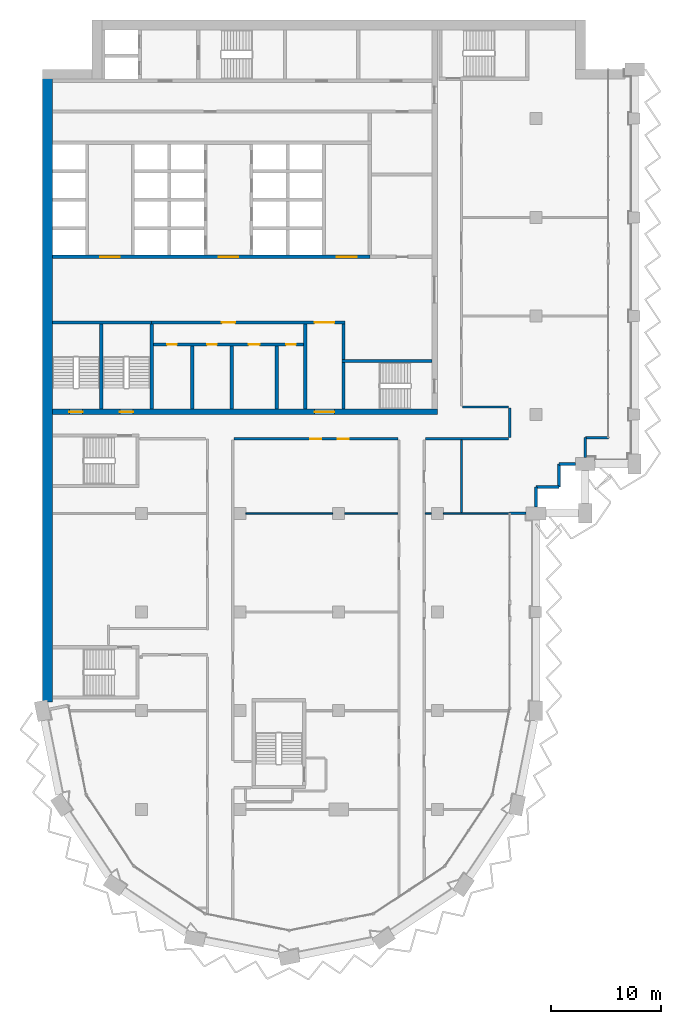
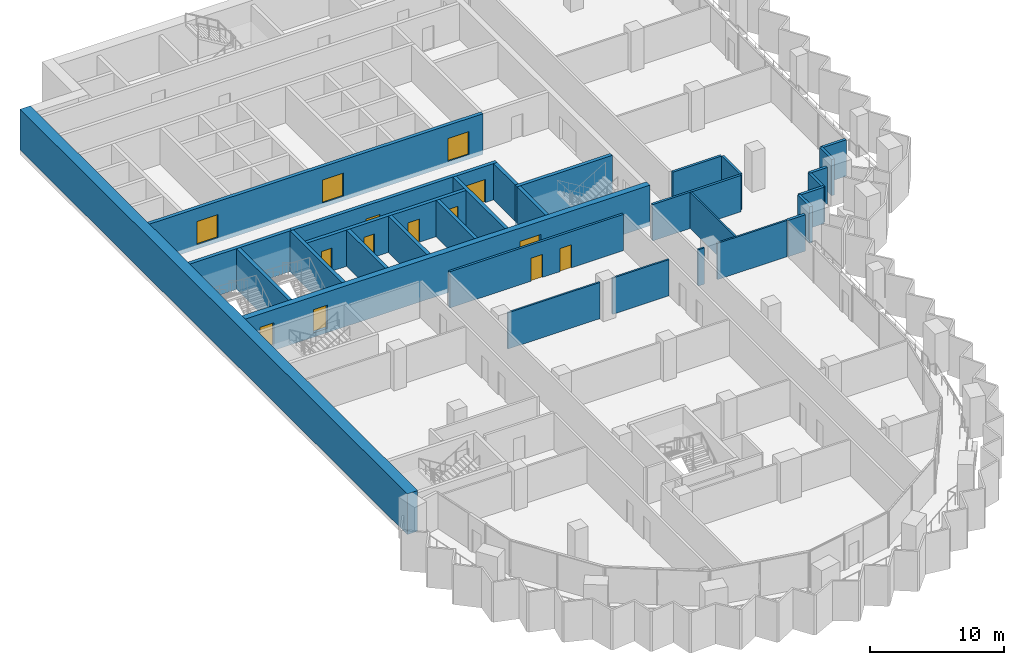
# One storey, part 9 of 17: 31 walls, 14 doors, 14 openings.
"""IFC4 building model written with IfcOpenShell, lengths in metres."""

from ifc_helpers import new_model, si_unit, direction, frame, frame_2d, origin, place, context, subcontext, project, spatial, rectangle, extrude, material, layer, layer_set, type_object, element, fill, save


model = new_model("IFC4")

# Units and contexts
model_context = context("Model", 3, precision=1e-05, world=origin(), true_north=direction((0.0, 1.0)))
body_context = subcontext(model_context, "Body", "Model", "MODEL_VIEW")
ifc_project = project(units=[si_unit("LENGTHUNIT", "METRE"), si_unit("AREAUNIT", "SQUARE_METRE"), si_unit("VOLUMEUNIT", "CUBIC_METRE"), si_unit("PLANEANGLEUNIT", "RADIAN"), si_unit("MASSUNIT", "GRAM", prefix="KILO")], contexts=[model_context])

# Site, building, storey
site_placement = place(None, origin())
site = spatial("IfcSite", under=ifc_project, at=site_placement, CompositionType="ELEMENT")
building_placement = place(site_placement, origin())
building = spatial("IfcBuilding", under=site, at=building_placement, Name="Hunhe Ridgeline Campus", CompositionType="ELEMENT")
storey_placement = place(building_placement, frame((0.0, 0.0, 186.5)))
storey = spatial("IfcBuildingStorey", under=building, at=storey_placement, Name="L47", CompositionType="ELEMENT", Elevation=186.5)

# Wall, openings, doors
ifc_material_1 = material(Name="Masonry concrete blockwork", Category="masonry")
ifc_layer_1 = layer(ifc_material_1, 0.300048828125)
ifc_layer_set_1 = layer_set([ifc_layer_1], Name="Core room partition 300 concrete block")
wall_type_1 = type_object("IfcWallType", Name="Core room partition 300 concrete block", PredefinedType="PARTITIONING", material=ifc_layer_set_1)
wall_1_placement = place(storey_placement, frame((10.10009765625, 69.39990234375, 0.0), z_axis=(0.0, 0.0, 1.0), x_axis=(1.0, 0.0, 0.0)))
wall_1 = element("IfcWall", 1, at=wall_1_placement, inside=storey, type_object=wall_type_1, Name="L47 core partition 9", PredefinedType="PARTITIONING", context=body_context, shape_type="SweptSolid", body=[
    extrude(rectangle(XDim=13.699951171875, YDim=0.300048828125, at=frame_2d((6.85009765625, 0.0))), origin(), (0.0, 0.0, 1.0), 3.300048828125),
])
opening_1_placement = place(wall_1_placement, frame((1.25, 0.0, 0.0)))
opening_1 = element("IfcOpeningElement", 2, at=opening_1_placement, cuts=wall_1, Name="Opening CD8", PredefinedType="OPENING", context=body_context, shape_type="SweptSolid", body=[
    extrude(rectangle(XDim=0.89990234375, YDim=2.10009765625, at=frame_2d((0.449951171875, 1.050048828125))), frame((0.0, 0.14990234375, 0.0), z_axis=(0.0, -1.0, 0.0), x_axis=(1.0, 0.0, 0.0)), (0.0, 0.0, 1.0), 0.300048828125),
])
opening_2_placement = place(wall_1_placement, frame((4.89990234375, 0.0, 0.0)))
opening_2 = element("IfcOpeningElement", 3, at=opening_2_placement, cuts=wall_1, Name="Opening CD9", PredefinedType="OPENING", context=body_context, shape_type="SweptSolid", body=[
    extrude(rectangle(XDim=0.89990234375, YDim=2.10009765625, at=frame_2d((0.449951171875, 1.050048828125))), frame((0.0, 0.14990234375, 0.0), z_axis=(0.0, -1.0, 0.0), x_axis=(1.0, 0.0, 0.0)), (0.0, 0.0, 1.0), 0.300048828125),
])
opening_3_placement = place(wall_1_placement, frame((8.699951171875, 0.0, 0.0)))
opening_3 = element("IfcOpeningElement", 4, at=opening_3_placement, cuts=wall_1, Name="Opening CD10", PredefinedType="OPENING", context=body_context, shape_type="SweptSolid", body=[
    extrude(rectangle(XDim=1.0, YDim=2.10009765625, at=frame_2d((0.5, 1.050048828125))), frame((0.0, 0.14990234375, 0.0), z_axis=(0.0, -1.0, 0.0), x_axis=(1.0, 0.0, 0.0)), (0.0, 0.0, 1.0), 0.300048828125),
])
opening_4_placement = place(wall_1_placement, frame((12.10009765625, 0.0, 0.0)))
opening_4 = element("IfcOpeningElement", 5, at=opening_4_placement, cuts=wall_1, Name="Opening CD11", PredefinedType="OPENING", context=body_context, shape_type="SweptSolid", body=[
    extrude(rectangle(XDim=0.89990234375, YDim=2.10009765625, at=frame_2d((0.449951171875, 1.050048828125))), frame((0.0, 0.14990234375, 0.0), z_axis=(0.0, -1.0, 0.0), x_axis=(1.0, 0.0, 0.0)), (0.0, 0.0, 1.0), 0.300048828125),
])
ifc_material_2 = material(Name="Solid core timber door leaf", Category="wood")
door_type_1 = type_object("IfcDoorType", Name="Timber door 1000x2100", OperationType="SINGLE_SWING_LEFT", PredefinedType="DOOR", material=ifc_material_2)
door_1_placement = place(opening_3_placement, frame((1.0, 0.0, 0.0), z_axis=(0.0, 0.0, 1.0), x_axis=(-1.0, 0.0, 0.0)))
door_1 = element("IfcDoor", 6, at=door_1_placement, inside=storey, type_object=door_type_1, Name="L47 door WC3", OperationType="SINGLE_SWING_LEFT", OverallHeight=2.10009765625, OverallWidth=1.0, PredefinedType="DOOR", context=body_context, shape_type="SweptSolid", body=[
    extrude(rectangle(XDim=1.0, YDim=2.10009765625, at=frame_2d((0.5, 1.050048828125))), frame((0.0, 0.02490234375, 0.0), z_axis=(0.0, -1.0, 0.0), x_axis=(1.0, 0.0, 0.0)), (0.0, 0.0, 1.0), 0.050048828125),
])
fill(opening_3, door_1)
door_type_2 = type_object("IfcDoorType", Name="Timber door 900x2100", OperationType="SINGLE_SWING_LEFT", PredefinedType="DOOR", material=ifc_material_2)
door_2_placement = place(opening_1_placement, frame((0.89990234375, 0.0, 0.0), z_axis=(0.0, 0.0, 1.0), x_axis=(-1.0, 0.0, 0.0)))
door_2 = element("IfcDoor", 7, at=door_2_placement, inside=storey, type_object=door_type_2, Name="L47 door WC1", OperationType="SINGLE_SWING_LEFT", OverallHeight=2.10009765625, OverallWidth=0.89990234375, PredefinedType="DOOR", context=body_context, shape_type="SweptSolid", body=[
    extrude(rectangle(XDim=0.89990234375, YDim=2.10009765625, at=frame_2d((0.449951171875, 1.050048828125))), frame((0.0, 0.02490234375, 0.0), z_axis=(0.0, -1.0, 0.0), x_axis=(1.0, 0.0, 0.0)), (0.0, 0.0, 1.0), 0.050048828125),
])
fill(opening_1, door_2)
door_3_placement = place(opening_2_placement, frame((0.89990234375, 0.0, 0.0), z_axis=(0.0, 0.0, 1.0), x_axis=(-1.0, 0.0, 0.0)))
door_3 = element("IfcDoor", 8, at=door_3_placement, inside=storey, type_object=door_type_2, Name="L47 door WC2", OperationType="SINGLE_SWING_RIGHT", OverallHeight=2.10009765625, OverallWidth=0.89990234375, PredefinedType="DOOR", context=body_context, shape_type="SweptSolid", body=[
    extrude(rectangle(XDim=0.89990234375, YDim=2.10009765625, at=frame_2d((0.449951171875, 1.050048828125))), frame((0.0, 0.02490234375, 0.0), z_axis=(0.0, -1.0, 0.0), x_axis=(1.0, 0.0, 0.0)), (0.0, 0.0, 1.0), 0.050048828125),
])
fill(opening_2, door_3)
door_4_placement = place(opening_4_placement, frame((0.89990234375, 0.0, 0.0), z_axis=(0.0, 0.0, 1.0), x_axis=(-1.0, 0.0, 0.0)))
door_4 = element("IfcDoor", 9, at=door_4_placement, inside=storey, type_object=door_type_2, Name="L47 door WC4", OperationType="SINGLE_SWING_RIGHT", OverallHeight=2.10009765625, OverallWidth=0.89990234375, PredefinedType="DOOR", context=body_context, shape_type="SweptSolid", body=[
    extrude(rectangle(XDim=0.89990234375, YDim=2.10009765625, at=frame_2d((0.449951171875, 1.050048828125))), frame((0.0, 0.02490234375, 0.0), z_axis=(0.0, -1.0, 0.0), x_axis=(1.0, 0.0, 0.0)), (0.0, 0.0, 1.0), 0.050048828125),
])
fill(opening_4, door_4)

wall_2_placement = place(storey_placement, frame((9.949951171875, 71.39990234375, 0.0), z_axis=(0.0, 0.0, 1.0), x_axis=(1.0, 0.0, 0.0)))
wall_2 = element("IfcWall", 10, at=wall_2_placement, inside=storey, type_object=wall_type_1, Name="L47 core partition 11", PredefinedType="PARTITIONING", context=body_context, shape_type="SweptSolid", body=[
    extrude(rectangle(XDim=17.650146484375, YDim=0.300048828125, at=frame_2d((8.8251953125, 0.0))), origin(), (0.0, 0.0, 1.0), 3.300048828125),
])
opening_5_placement = place(wall_2_placement, frame((14.85009765625, 0.0, 0.0)))
opening_5 = element("IfcOpeningElement", 11, at=opening_5_placement, cuts=wall_2, Name="Opening CD7", PredefinedType="OPENING", context=body_context, shape_type="SweptSolid", body=[
    extrude(rectangle(XDim=1.800048828125, YDim=2.10009765625, at=frame_2d((0.89990234375, 1.050048828125))), frame((0.0, 0.14990234375, 0.0), z_axis=(0.0, -1.0, 0.0), x_axis=(1.0, 0.0, 0.0)), (0.0, 0.0, 1.0), 0.300048828125),
])
opening_6_placement = place(wall_2_placement, frame((6.39990234375, 0.0, 0.0)))
opening_6 = element("IfcOpeningElement", 12, at=opening_6_placement, cuts=wall_2, Name="Opening CD37", PredefinedType="OPENING", context=body_context, shape_type="SweptSolid", body=[
    extrude(rectangle(XDim=1.199951171875, YDim=2.10009765625, at=frame_2d((0.60009765625, 1.050048828125))), frame((0.0, 0.14990234375, 0.0), z_axis=(0.0, -1.0, 0.0), x_axis=(1.0, 0.0, 0.0)), (0.0, 0.0, 1.0), 0.300048828125),
])
ifc_material_3 = material(Name="Anodised aluminium and glass", Category="aluminium")
door_type_3 = type_object("IfcDoorType", Name="Glazed double door 1800x2100", OperationType="DOUBLE_DOOR_SINGLE_SWING", PredefinedType="DOOR", material=ifc_material_3)
door_5_placement = place(opening_5_placement, origin())
door_5 = element("IfcDoor", 13, at=door_5_placement, inside=storey, type_object=door_type_3, Name="L47 door VEST-HALL", OperationType="DOUBLE_DOOR_SINGLE_SWING", OverallHeight=2.10009765625, OverallWidth=1.800048828125, PredefinedType="DOOR", context=body_context, shape_type="SweptSolid", body=[
    extrude(rectangle(XDim=1.800048828125, YDim=2.10009765625, at=frame_2d((0.89990234375, 1.050048828125))), frame((0.0, 0.02490234375, 0.0), z_axis=(0.0, -1.0, 0.0), x_axis=(1.0, 0.0, 0.0)), (0.0, 0.0, 1.0), 0.050048828125),
])
fill(opening_5, door_5)
door_type_4 = type_object("IfcDoorType", Name="Timber door 1200x2100", OperationType="SINGLE_SWING_LEFT", PredefinedType="DOOR", material=ifc_material_2)
door_6_placement = place(opening_6_placement, origin())
door_6 = element("IfcDoor", 14, at=door_6_placement, inside=storey, type_object=door_type_4, Name="L47 door WCL1-HALL", OperationType="SINGLE_SWING_RIGHT", OverallHeight=2.10009765625, OverallWidth=1.199951171875, PredefinedType="DOOR", context=body_context, shape_type="SweptSolid", body=[
    extrude(rectangle(XDim=1.199951171875, YDim=2.10009765625, at=frame_2d((0.60009765625, 1.050048828125))), frame((0.0, 0.02490234375, 0.0), z_axis=(0.0, -1.0, 0.0), x_axis=(1.0, 0.0, 0.0)), (0.0, 0.0, 1.0), 0.050048828125),
])
fill(opening_6, door_6)

# Walls
for number, where, z_axis, x_axis, name in (
    (15, (13.64990234375, 63.5, 0.0), (0.0, 0.0, 1.0), (0.0, 1.0, 0.0), "L47 core partition 38"),
    (16, (17.25, 63.5, 0.0), (0.0, 0.0, 1.0), (0.0, 1.0, 0.0), "L47 core partition 41"),
    (17, (21.35009765625, 63.5, 0.0), (0.0, 0.0, 1.0), (0.0, 1.0, 0.0), "L47 core partition 44"),
):
    element("IfcWall", number, at=place(storey_placement, frame(where, z_axis=z_axis, x_axis=x_axis)), inside=storey, type_object=wall_type_1, Name=name, PredefinedType="PARTITIONING", context=body_context, shape_type="SweptSolid", body=[
        extrude(rectangle(XDim=5.75, YDim=0.300048828125, at=frame_2d((2.875, 0.0))), origin(), (0.0, 0.0, 1.0), 3.300048828125),
    ])
wall_3_placement = place(storey_placement, frame((23.949951171875, 63.5, 0.0), z_axis=(0.0, 0.0, 1.0), x_axis=(0.0, 1.0, 0.0)))
element("IfcWall", 18, at=wall_3_placement, inside=storey, type_object=wall_type_1, Name="L47 core partition 48", PredefinedType="PARTITIONING", context=body_context, shape_type="SweptSolid", body=[
    extrude(rectangle(XDim=7.75, YDim=0.300048828125, at=frame_2d((3.875, 0.0))), origin(), (0.0, 0.0, 1.0), 3.300048828125),
])
wall_4_placement = place(storey_placement, frame((27.449951171875, 68.050048828125, 0.0), z_axis=(0.0, 0.0, 1.0), x_axis=(0.0, 1.0, 0.0)))
element("IfcWall", 19, at=wall_4_placement, inside=storey, type_object=wall_type_1, Name="L47 core partition 51", PredefinedType="PARTITIONING", context=body_context, shape_type="SweptSolid", body=[
    extrude(rectangle(XDim=3.199951171875, YDim=0.300048828125, at=frame_2d((1.60009765625, 0.0))), origin(), (0.0, 0.0, 1.0), 3.300048828125),
])

# Wall, openings, doors
ifc_material_4 = material(Name="Concrete C60", Category="concrete")
ifc_layer_2 = layer(ifc_material_4, 0.5)
ifc_layer_set_2 = layer_set([ifc_layer_2], Name="Core wall 500 reinforced concrete C60")
wall_type_2 = type_object("IfcWallType", Name="Core wall 500 reinforced concrete C60", PredefinedType="SOLIDWALL", material=ifc_layer_set_2)
wall_5_placement = place(storey_placement, frame((0.89990234375, 63.25, -0.39990234375), z_axis=(0.0, 0.0, 1.0), x_axis=(1.0, 0.0, 0.0)))
wall_5 = element("IfcWall", 20, at=wall_5_placement, inside=storey, type_object=wall_type_2, Name="L47 core wall 7", PredefinedType="SOLIDWALL", context=body_context, shape_type="SweptSolid", body=[
    extrude(rectangle(XDim=35.10009765625, YDim=0.5, at=frame_2d((17.550048828125, 0.0))), origin(), (0.0, 0.0, 1.0), 3.699951171875),
])
opening_7_placement = place(wall_5_placement, frame((23.89990234375, 0.0, 0.39990234375)))
opening_7 = element("IfcOpeningElement", 21, at=opening_7_placement, cuts=wall_5, Name="Opening CD6", PredefinedType="OPENING", context=body_context, shape_type="SweptSolid", body=[
    extrude(rectangle(XDim=1.800048828125, YDim=2.10009765625, at=frame_2d((0.89990234375, 1.050048828125))), frame((0.0, 0.25, 0.0), z_axis=(0.0, -1.0, 0.0), x_axis=(1.0, 0.0, 0.0)), (0.0, 0.0, 1.0), 0.5),
])
opening_8_placement = place(wall_5_placement, frame((1.550048828125, 0.0, 0.39990234375)))
opening_8 = element("IfcOpeningElement", 22, at=opening_8_placement, cuts=wall_5, Name="Opening CD13", PredefinedType="OPENING", context=body_context, shape_type="SweptSolid", body=[
    extrude(rectangle(XDim=1.199951171875, YDim=2.10009765625, at=frame_2d((0.60009765625, 1.050048828125))), frame((0.0, 0.25, 0.0), z_axis=(0.0, -1.0, 0.0), x_axis=(1.0, 0.0, 0.0)), (0.0, 0.0, 1.0), 0.5),
])
opening_9_placement = place(wall_5_placement, frame((6.14990234375, 0.0, 0.39990234375)))
opening_9 = element("IfcOpeningElement", 23, at=opening_9_placement, cuts=wall_5, Name="Opening CD14", PredefinedType="OPENING", context=body_context, shape_type="SweptSolid", body=[
    extrude(rectangle(XDim=1.199951171875, YDim=2.10009765625, at=frame_2d((0.60009765625, 1.050048828125))), frame((0.0, 0.25, 0.0), z_axis=(0.0, -1.0, 0.0), x_axis=(1.0, 0.0, 0.0)), (0.0, 0.0, 1.0), 0.5),
])
door_7_placement = place(opening_7_placement, frame((1.800048828125, 0.0, 0.0), z_axis=(0.0, 0.0, 1.0), x_axis=(-1.0, 0.0, 0.0)))
door_7 = element("IfcDoor", 24, at=door_7_placement, inside=storey, type_object=door_type_3, Name="L47 door VEST-FLOOR", OperationType="DOUBLE_DOOR_SINGLE_SWING", OverallHeight=2.10009765625, OverallWidth=1.800048828125, PredefinedType="DOOR", context=body_context, shape_type="SweptSolid", body=[
    extrude(rectangle(XDim=1.800048828125, YDim=2.10009765625, at=frame_2d((0.89990234375, 1.050048828125))), frame((0.0, 0.02490234375, 0.0), z_axis=(0.0, -1.0, 0.0), x_axis=(1.0, 0.0, 0.0)), (0.0, 0.0, 1.0), 0.050048828125),
])
fill(opening_7, door_7)
ifc_material_5 = material(Name="Hollow metal fire door leaf")
door_type_5 = type_object("IfcDoorType", Name="Stair door 1200x2100 FD60", OperationType="SINGLE_SWING_LEFT", PredefinedType="DOOR", material=ifc_material_5)
door_8_placement = place(opening_8_placement, frame((1.199951171875, 0.0, 0.0), z_axis=(0.0, 0.0, 1.0), x_axis=(-1.0, 0.0, 0.0)))
door_8 = element("IfcDoor", 25, at=door_8_placement, inside=storey, type_object=door_type_5, Name="L47 door S3", OperationType="SINGLE_SWING_LEFT", OverallHeight=2.10009765625, OverallWidth=1.199951171875, PredefinedType="DOOR", context=body_context, shape_type="SweptSolid", body=[
    extrude(rectangle(XDim=1.199951171875, YDim=2.10009765625, at=frame_2d((0.60009765625, 1.050048828125))), frame((0.0, 0.02490234375, 0.0), z_axis=(0.0, -1.0, 0.0), x_axis=(1.0, 0.0, 0.0)), (0.0, 0.0, 1.0), 0.050048828125),
])
fill(opening_8, door_8)
door_9_placement = place(opening_9_placement, frame((1.199951171875, 0.0, 0.0), z_axis=(0.0, 0.0, 1.0), x_axis=(-1.0, 0.0, 0.0)))
door_9 = element("IfcDoor", 26, at=door_9_placement, inside=storey, type_object=door_type_5, Name="L47 door S4", OperationType="SINGLE_SWING_RIGHT", OverallHeight=2.10009765625, OverallWidth=1.199951171875, PredefinedType="DOOR", context=body_context, shape_type="SweptSolid", body=[
    extrude(rectangle(XDim=1.199951171875, YDim=2.10009765625, at=frame_2d((0.60009765625, 1.050048828125))), frame((0.0, 0.02490234375, 0.0), z_axis=(0.0, -1.0, 0.0), x_axis=(1.0, 0.0, 0.0)), (0.0, 0.0, 1.0), 0.050048828125),
])
fill(opening_9, door_9)

# Walls
ifc_material_6 = material(Name="Concrete C30", Category="concrete")
ifc_layer_3 = layer(ifc_material_6, 0.25)
ifc_layer_set_3 = layer_set([ifc_layer_3], Name="Corner return wall 250 Concrete C30")
wall_type_3 = type_object("IfcWallType", Name="Corner return wall 250 Concrete C30", PredefinedType="SOLIDWALL", material=ifc_layer_set_3)
wall_6_placement = place(storey_placement, frame((42.59912109375, 54.00048828125, 0.0), z_axis=(0.0, 0.0, 1.0), x_axis=(0.999999986772, 0.00016265452, 0.0)))
element("IfcWall", 27, at=wall_6_placement, inside=storey, type_object=wall_type_3, Name="Corner return wall 2", PredefinedType="SOLIDWALL", context=body_context, shape_type="SweptSolid", body=[
    extrude(rectangle(XDim=1.5009765625, YDim=0.25, at=frame_2d((0.75048828125, 0.0))), origin(), (0.0, 0.0, 1.0), 3.300048828125),
])
wall_7_placement = place(storey_placement, frame((44.9990234375, 54.60009765625, 0.0), z_axis=(0.0, 0.0, 1.0), x_axis=(0.000135593219, 0.999999990807, 0.0)))
element("IfcWall", 28, at=wall_7_placement, inside=storey, type_object=wall_type_3, Name="Corner return wall 3", PredefinedType="SOLIDWALL", context=body_context, shape_type="SweptSolid", body=[
    extrude(rectangle(XDim=1.800537109375, YDim=0.25, at=frame_2d((0.900390625, 0.0))), origin(), (0.0, 0.0, 1.0), 3.300048828125),
])
wall_8_placement = place(storey_placement, frame((44.999267578125, 56.400634765625, 0.0), z_axis=(0.0, 0.0, 1.0), x_axis=(0.999999993241, 0.00011626555, 0.0)))
element("IfcWall", 29, at=wall_8_placement, inside=storey, type_object=wall_type_3, Name="Corner return wall 4", PredefinedType="SOLIDWALL", context=body_context, shape_type="SweptSolid", body=[
    extrude(rectangle(XDim=2.099853515625, YDim=0.25, at=frame_2d((1.0498046875, 0.0))), origin(), (0.0, 0.0, 1.0), 3.300048828125),
])
wall_9_placement = place(storey_placement, frame((47.09912109375, 56.40087890625, 0.0), z_axis=(0.0, 0.0, 1.0), x_axis=(0.000232504063, 0.999999972971, 0.0)))
element("IfcWall", 30, at=wall_9_placement, inside=storey, type_object=wall_type_3, Name="Corner return wall 5", PredefinedType="SOLIDWALL", context=body_context, shape_type="SweptSolid", body=[
    extrude(rectangle(XDim=2.10009765625, YDim=0.25, at=frame_2d((1.050048828125, 0.0))), origin(), (0.0, 0.0, 1.0), 3.300048828125),
])
wall_10_placement = place(storey_placement, frame((47.099609375, 58.5009765625, 0.0), z_axis=(0.0, 0.0, 1.0), x_axis=(1.0, 0.0, 0.0)))
element("IfcWall", 31, at=wall_10_placement, inside=storey, type_object=wall_type_3, Name="Corner return wall 6", PredefinedType="SOLIDWALL", context=body_context, shape_type="SweptSolid", body=[
    extrude(rectangle(XDim=1.50048828125, YDim=0.25, at=frame_2d((0.750244140625, 0.0))), origin(), (0.0, 0.0, 1.0), 3.300048828125),
])
wall_11_placement = place(storey_placement, frame((49.4990234375, 59.10009765625, 0.0), z_axis=(0.0, 0.0, 1.0), x_axis=(0.000271149665, 0.999999963239, 0.0)))
element("IfcWall", 32, at=wall_11_placement, inside=storey, type_object=wall_type_3, Name="Corner return wall 7", PredefinedType="SOLIDWALL", context=body_context, shape_type="SweptSolid", body=[
    extrude(rectangle(XDim=1.80078125, YDim=0.25, at=frame_2d((0.900390625, 0.0))), origin(), (0.0, 0.0, 1.0), 3.300048828125),
])
wall_12_placement = place(storey_placement, frame((49.49951171875, 60.90087890625, 0.0), z_axis=(0.0, 0.0, 1.0), x_axis=(1.0, 0.0, 0.0)))
element("IfcWall", 33, at=wall_12_placement, inside=storey, type_object=wall_type_3, Name="Corner return wall 8", PredefinedType="SOLIDWALL", context=body_context, shape_type="SweptSolid", body=[
    extrude(rectangle(XDim=2.099609375, YDim=0.25, at=frame_2d((1.0498046875, 0.0))), origin(), (0.0, 0.0, 1.0), 3.300048828125),
])

# Wall, openings, doors
ifc_material_7 = material(Name="Gypsum board partition")
ifc_layer_4 = layer(ifc_material_7, 0.199951171875)
ifc_layer_set_4 = layer_set([ifc_layer_4], Name="Corridor partition 200 gypsum board on steel studs")
wall_type_4 = type_object("IfcWallType", Name="Corridor partition 200 gypsum board on steel studs", PredefinedType="PARTITIONING", material=ifc_layer_set_4)
wall_13_placement = place(storey_placement, frame((32.39990234375, 60.800048828125, 0.0), z_axis=(0.0, 0.0, 1.0), x_axis=(-1.0, 0.0, 0.0)))
wall_13 = element("IfcWall", 34, at=wall_13_placement, inside=storey, type_object=wall_type_4, Name="F-L47-wall-028", PredefinedType="PARTITIONING", context=body_context, shape_type="SweptSolid", body=[
    extrude(rectangle(XDim=14.949951171875, YDim=0.199951171875, at=frame_2d((7.47509765625, 0.0))), origin(), (0.0, 0.0, 1.0), 3.300048828125),
])
opening_10_placement = place(wall_13_placement, frame((6.97509765625, 0.0, 0.0)))
opening_10 = element("IfcOpeningElement", 35, at=opening_10_placement, cuts=wall_13, Name="Opening RD1-020", PredefinedType="OPENING", context=body_context, shape_type="SweptSolid", body=[
    extrude(rectangle(XDim=1.0, YDim=2.10009765625, at=frame_2d((0.5, 1.050048828125))), frame((0.0, 0.10009765625, 0.0), z_axis=(0.0, -1.0, 0.0), x_axis=(1.0, 0.0, 0.0)), (0.0, 0.0, 1.0), 0.199951171875),
])
opening_11_placement = place(wall_13_placement, frame((4.47509765625, 0.0, 0.0)))
opening_11 = element("IfcOpeningElement", 36, at=opening_11_placement, cuts=wall_13, Name="Opening RD1-021", PredefinedType="OPENING", context=body_context, shape_type="SweptSolid", body=[
    extrude(rectangle(XDim=1.0, YDim=2.10009765625, at=frame_2d((0.5, 1.050048828125))), frame((0.0, 0.10009765625, 0.0), z_axis=(0.0, -1.0, 0.0), x_axis=(1.0, 0.0, 0.0)), (0.0, 0.0, 1.0), 0.199951171875),
])
ifc_material_8 = material(Name="Timber door leaf", Category="wood")
door_type_6 = type_object("IfcDoorType", Name="Single fire door 1000x2100 timber FD60", OperationType="NOTDEFINED", PredefinedType="DOOR", material=ifc_material_8)
door_10_placement = place(opening_10_placement, frame((1.0, 0.0, 0.0), z_axis=(0.0, 0.0, 1.0), x_axis=(-1.0, 0.0, 0.0)))
door_10 = element("IfcDoor", 37, at=door_10_placement, inside=storey, type_object=door_type_6, Name="F-L47-door-020", OperationType="SINGLE_SWING_LEFT", OverallHeight=2.10009765625, OverallWidth=1.0, PredefinedType="DOOR", context=body_context, shape_type="SweptSolid", body=[
    extrude(rectangle(XDim=1.0, YDim=2.10009765625, at=frame_2d((0.5, 1.050048828125))), frame((0.0, 0.02490234375, 0.0), z_axis=(0.0, -1.0, 0.0), x_axis=(1.0, 0.0, 0.0)), (0.0, 0.0, 1.0), 0.050048828125),
])
fill(opening_10, door_10)
door_11_placement = place(opening_11_placement, frame((1.0, 0.0, 0.0), z_axis=(0.0, 0.0, 1.0), x_axis=(-1.0, 0.0, 0.0)))
door_11 = element("IfcDoor", 38, at=door_11_placement, inside=storey, type_object=door_type_6, Name="F-L47-door-021", OperationType="SINGLE_SWING_RIGHT", OverallHeight=2.10009765625, OverallWidth=1.0, PredefinedType="DOOR", context=body_context, shape_type="SweptSolid", body=[
    extrude(rectangle(XDim=1.0, YDim=2.10009765625, at=frame_2d((0.5, 1.050048828125))), frame((0.0, 0.02490234375, 0.0), z_axis=(0.0, -1.0, 0.0), x_axis=(1.0, 0.0, 0.0)), (0.0, 0.0, 1.0), 0.050048828125),
])
fill(opening_11, door_11)

# Walls
wall_14_placement = place(storey_placement, frame((42.5, 60.800048828125, 0.0), z_axis=(0.0, 0.0, 1.0), x_axis=(-1.0, 0.0, 0.0)))
element("IfcWall", 39, at=wall_14_placement, inside=storey, type_object=wall_type_4, Name="F-L47-wall-029", PredefinedType="PARTITIONING", context=body_context, shape_type="SweptSolid", body=[
    extrude(rectangle(XDim=7.60009765625, YDim=0.199951171875, at=frame_2d((3.800048828125, 0.0))), origin(), (0.0, 0.0, 1.0), 3.300048828125),
])
wall_15_placement = place(storey_placement, frame((38.300048828125, 63.699951171875, 0.0), z_axis=(0.0, 0.0, 1.0), x_axis=(1.0, 0.0, 0.0)))
element("IfcWall", 40, at=wall_15_placement, inside=storey, type_object=wall_type_4, Name="F-L47-wall-030", PredefinedType="PARTITIONING", context=body_context, shape_type="SweptSolid", body=[
    extrude(rectangle(XDim=4.199951171875, YDim=0.199951171875, at=frame_2d((2.10009765625, 0.0))), origin(), (0.0, 0.0, 1.0), 3.300048828125),
])
wall_16_placement = place(storey_placement, frame((42.60009765625, 63.60009765625, 0.0), z_axis=(0.0, 0.0, 1.0), x_axis=(0.0, -1.0, 0.0)))
element("IfcWall", 41, at=wall_16_placement, inside=storey, type_object=wall_type_4, Name="F-L47-wall-048", PredefinedType="PARTITIONING", context=body_context, shape_type="SweptSolid", body=[
    extrude(rectangle(XDim=2.7001953125, YDim=0.199951171875, at=frame_2d((1.35009765625, 0.0))), origin(), (0.0, 0.0, 1.0), 3.300048828125),
])
ifc_layer_5 = layer(ifc_material_7, 0.14990234375)
ifc_layer_set_5 = layer_set([ifc_layer_5], Name="Room partition 150 gypsum board on steel studs")
wall_type_5 = type_object("IfcWallType", Name="Room partition 150 gypsum board on steel studs", PredefinedType="PARTITIONING", material=ifc_layer_set_5)
wall_17_placement = place(storey_placement, frame((18.550048828125, 54.0, 0.0), z_axis=(0.0, 0.0, 1.0), x_axis=(1.0, 0.0, 0.0)))
element("IfcWall", 42, at=wall_17_placement, inside=storey, type_object=wall_type_5, Name="F-L47-wall-023", PredefinedType="PARTITIONING", context=body_context, shape_type="SweptSolid", body=[
    extrude(rectangle(XDim=7.89990234375, YDim=0.14990234375, at=frame_2d((3.949951171875, 0.0))), origin(), (0.0, 0.0, 1.0), 3.300048828125),
])
wall_18_placement = place(storey_placement, frame((27.550048828125, 54.0, 0.0), z_axis=(0.0, 0.0, 1.0), x_axis=(1.0, 0.0, 0.0)))
element("IfcWall", 43, at=wall_18_placement, inside=storey, type_object=wall_type_5, Name="F-L47-wall-024", PredefinedType="PARTITIONING", context=body_context, shape_type="SweptSolid", body=[
    extrude(rectangle(XDim=4.849853515625, YDim=0.14990234375, at=frame_2d((2.4248046875, 0.0))), origin(), (0.0, 0.0, 1.0), 3.300048828125),
])
wall_19_placement = place(storey_placement, frame((34.89990234375, 54.0, 0.0), z_axis=(0.0, 0.0, 1.0), x_axis=(1.0, 0.0, 0.0)))
element("IfcWall", 44, at=wall_19_placement, inside=storey, type_object=wall_type_5, Name="F-L47-wall-025", PredefinedType="PARTITIONING", context=body_context, shape_type="SweptSolid", body=[
    extrude(rectangle(XDim=0.550048828125, YDim=0.14990234375, at=frame_2d((0.27490234375, 0.0))), origin(), (0.0, 0.0, 1.0), 3.300048828125),
])
wall_20_placement = place(storey_placement, frame((36.550048828125, 54.0, 0.0), z_axis=(0.0, 0.0, 1.0), x_axis=(1.0, 0.0, 0.0)))
element("IfcWall", 45, at=wall_20_placement, inside=storey, type_object=wall_type_5, Name="F-L47-wall-026", PredefinedType="PARTITIONING", context=body_context, shape_type="SweptSolid", body=[
    extrude(rectangle(XDim=5.9951171875, YDim=0.14990234375, at=frame_2d((2.99755859375, 0.0))), origin(), (0.0, 0.0, 1.0), 3.300048828125),
])
wall_21_placement = place(storey_placement, frame((38.199951171875, 60.699951171875, 0.0), z_axis=(0.0, 0.0, 1.0), x_axis=(0.0, -1.0, 0.0)))
element("IfcWall", 46, at=wall_21_placement, inside=storey, type_object=wall_type_5, Name="F-L47-wall-046", PredefinedType="PARTITIONING", context=body_context, shape_type="SweptSolid", body=[
    extrude(rectangle(XDim=6.625, YDim=0.14990234375, at=frame_2d((3.3125, 0.0))), origin(), (0.0, 0.0, 1.0), 3.300048828125),
])

# Wall, openings, doors
ifc_layer_6 = layer(ifc_material_4, 0.300048828125)
ifc_layer_set_6 = layer_set([ifc_layer_6], Name="Shaft wall 300 reinforced concrete C60")
wall_type_6 = type_object("IfcWallType", Name="Shaft wall 300 reinforced concrete C60", PredefinedType="SOLIDWALL", material=ifc_layer_set_6)
wall_22_placement = place(storey_placement, frame((0.89990234375, 77.39990234375, -0.39990234375), z_axis=(0.0, 0.0, 1.0), x_axis=(1.0, 0.0, 0.0)))
wall_22 = element("IfcWall", 47, at=wall_22_placement, inside=storey, type_object=wall_type_6, Name="L47 core wall 12", PredefinedType="SOLIDWALL", context=body_context, shape_type="SweptSolid", body=[
    extrude(rectangle(XDim=28.9501953125, YDim=0.300048828125, at=frame_2d((14.47509765625, 0.0))), origin(), (0.0, 0.0, 1.0), 3.699951171875),
])
opening_12_placement = place(wall_22_placement, frame((4.35009765625, 0.0, 0.39990234375)))
opening_12 = element("IfcOpeningElement", 48, at=opening_12_placement, cuts=wall_22, Name="Opening CD1", PredefinedType="OPENING", context=body_context, shape_type="SweptSolid", body=[
    extrude(rectangle(XDim=1.800048828125, YDim=2.10009765625, at=frame_2d((0.89990234375, 1.050048828125))), frame((0.0, 0.14990234375, 0.0), z_axis=(0.0, -1.0, 0.0), x_axis=(1.0, 0.0, 0.0)), (0.0, 0.0, 1.0), 0.300048828125),
])
opening_13_placement = place(wall_22_placement, frame((15.14990234375, 0.0, 0.39990234375)))
opening_13 = element("IfcOpeningElement", 49, at=opening_13_placement, cuts=wall_22, Name="Opening CD38", PredefinedType="OPENING", context=body_context, shape_type="SweptSolid", body=[
    extrude(rectangle(XDim=1.800048828125, YDim=2.10009765625, at=frame_2d((0.89990234375, 1.050048828125))), frame((0.0, 0.14990234375, 0.0), z_axis=(0.0, -1.0, 0.0), x_axis=(1.0, 0.0, 0.0)), (0.0, 0.0, 1.0), 0.300048828125),
])
opening_14_placement = place(wall_22_placement, frame((25.949951171875, 0.0, 0.39990234375)))
opening_14 = element("IfcOpeningElement", 50, at=opening_14_placement, cuts=wall_22, Name="Opening CD2", PredefinedType="OPENING", context=body_context, shape_type="SweptSolid", body=[
    extrude(rectangle(XDim=1.800048828125, YDim=2.10009765625, at=frame_2d((0.89990234375, 1.050048828125))), frame((0.0, 0.14990234375, 0.0), z_axis=(0.0, -1.0, 0.0), x_axis=(1.0, 0.0, 0.0)), (0.0, 0.0, 1.0), 0.300048828125),
])
door_type_7 = type_object("IfcDoorType", Name="Lobby door 1800x2100 FD60", OperationType="SINGLE_SWING_LEFT", PredefinedType="DOOR", material=ifc_material_5)
door_12_placement = place(opening_12_placement, frame((1.800048828125, 0.0, 0.0), z_axis=(0.0, 0.0, 1.0), x_axis=(-1.0, 0.0, 0.0)))
door_12 = element("IfcDoor", 51, at=door_12_placement, inside=storey, type_object=door_type_7, Name="L47 door LOB-LR", OperationType="SINGLE_SWING_RIGHT", OverallHeight=2.10009765625, OverallWidth=1.800048828125, PredefinedType="DOOR", context=body_context, shape_type="SweptSolid", body=[
    extrude(rectangle(XDim=1.800048828125, YDim=2.10009765625, at=frame_2d((0.89990234375, 1.050048828125))), frame((0.0, 0.02490234375, 0.0), z_axis=(0.0, -1.0, 0.0), x_axis=(1.0, 0.0, 0.0)), (0.0, 0.0, 1.0), 0.050048828125),
])
fill(opening_12, door_12)
door_13_placement = place(opening_13_placement, frame((1.800048828125, 0.0, 0.0), z_axis=(0.0, 0.0, 1.0), x_axis=(-1.0, 0.0, 0.0)))
door_13 = element("IfcDoor", 52, at=door_13_placement, inside=storey, type_object=door_type_7, Name="L47 door LOB-HR", OperationType="SINGLE_SWING_LEFT", OverallHeight=2.10009765625, OverallWidth=1.800048828125, PredefinedType="DOOR", context=body_context, shape_type="SweptSolid", body=[
    extrude(rectangle(XDim=1.800048828125, YDim=2.10009765625, at=frame_2d((0.89990234375, 1.050048828125))), frame((0.0, 0.02490234375, 0.0), z_axis=(0.0, -1.0, 0.0), x_axis=(1.0, 0.0, 0.0)), (0.0, 0.0, 1.0), 0.050048828125),
])
fill(opening_13, door_13)
door_14_placement = place(opening_14_placement, frame((1.800048828125, 0.0, 0.0), z_axis=(0.0, 0.0, 1.0), x_axis=(-1.0, 0.0, 0.0)))
door_14 = element("IfcDoor", 53, at=door_14_placement, inside=storey, type_object=door_type_7, Name="L47 door LOB-SH", OperationType="SINGLE_SWING_RIGHT", OverallHeight=2.10009765625, OverallWidth=1.800048828125, PredefinedType="DOOR", context=body_context, shape_type="SweptSolid", body=[
    extrude(rectangle(XDim=1.800048828125, YDim=2.10009765625, at=frame_2d((0.89990234375, 1.050048828125))), frame((0.0, 0.02490234375, 0.0), z_axis=(0.0, -1.0, 0.0), x_axis=(1.0, 0.0, 0.0)), (0.0, 0.0, 1.0), 0.050048828125),
])
fill(opening_14, door_14)

# Walls
ifc_layer_7 = layer(ifc_material_4, 0.89990234375)
ifc_layer_set_7 = layer_set([ifc_layer_7], Name="Spine wall 900 Concrete C60")
wall_type_7 = type_object("IfcWallType", Name="Spine wall 900 Concrete C60", PredefinedType="SHEAR", material=ifc_layer_set_7)
wall_23_placement = place(storey_placement, frame((0.449951171875, 94.5, 0.0), z_axis=(0.0, 0.0, 1.0), x_axis=(0.0, -1.0, 0.0)))
element("IfcWall", 54, at=wall_23_placement, inside=storey, type_object=wall_type_7, Name="Spine wall SW3-1 L47", PredefinedType="SHEAR", context=body_context, shape_type="SweptSolid", body=[
    extrude(rectangle(XDim=57.686767578125, YDim=0.89990234375, at=frame_2d((28.84326171875, 0.0))), origin(), (0.0, 0.0, 1.0), 3.699951171875),
])
ifc_layer_8 = layer(ifc_material_4, 0.300048828125)
ifc_layer_set_8 = layer_set([ifc_layer_8], Name="Stair wall 300 reinforced concrete C60")
wall_type_8 = type_object("IfcWallType", Name="Stair wall 300 reinforced concrete C60", PredefinedType="SOLIDWALL", material=ifc_layer_set_8)
wall_24_placement = place(storey_placement, frame((27.300048828125, 67.89990234375, -0.39990234375), z_axis=(0.0, 0.0, 1.0), x_axis=(1.0, 0.0, 0.0)))
element("IfcWall", 55, at=wall_24_placement, inside=storey, type_object=wall_type_8, Name="L47 core wall 8", PredefinedType="SOLIDWALL", context=body_context, shape_type="SweptSolid", body=[
    extrude(rectangle(XDim=8.199951171875, YDim=0.300048828125, at=frame_2d((4.10009765625, 0.0))), origin(), (0.0, 0.0, 1.0), 3.699951171875),
])
wall_25_placement = place(storey_placement, frame((0.89990234375, 71.39990234375, -0.39990234375), z_axis=(0.0, 0.0, 1.0), x_axis=(1.0, 0.0, 0.0)))
element("IfcWall", 56, at=wall_25_placement, inside=storey, type_object=wall_type_8, Name="L47 core wall 10", PredefinedType="SOLIDWALL", context=body_context, shape_type="SweptSolid", body=[
    extrude(rectangle(XDim=9.050048828125, YDim=0.300048828125, at=frame_2d((4.52490234375, 0.0))), origin(), (0.0, 0.0, 1.0), 3.699951171875),
])
for number, where, z_axis, x_axis, name in (
    (57, (5.35009765625, 63.5, -0.39990234375), (0.0, 0.0, 1.0), (0.0, 1.0, 0.0), "L47 core wall 30"),
    (58, (9.949951171875, 63.5, -0.39990234375), (0.0, 0.0, 1.0), (0.0, 1.0, 0.0), "L47 core wall 36"),
):
    element("IfcWall", number, at=place(storey_placement, frame(where, z_axis=z_axis, x_axis=x_axis)), inside=storey, type_object=wall_type_8, Name=name, PredefinedType="SOLIDWALL", context=body_context, shape_type="SweptSolid", body=[
        extrude(rectangle(XDim=7.75, YDim=0.300048828125, at=frame_2d((3.875, 0.0))), origin(), (0.0, 0.0, 1.0), 3.699951171875),
    ])
wall_26_placement = place(storey_placement, frame((27.449951171875, 63.5, -0.39990234375), z_axis=(0.0, 0.0, 1.0), x_axis=(0.0, 1.0, 0.0)))
element("IfcWall", 59, at=wall_26_placement, inside=storey, type_object=wall_type_8, Name="L47 core wall 50", PredefinedType="SOLIDWALL", context=body_context, shape_type="SweptSolid", body=[
    extrude(rectangle(XDim=4.25, YDim=0.300048828125, at=frame_2d((2.125, 0.0))), origin(), (0.0, 0.0, 1.0), 3.699951171875),
])

save(model, "model.ifc")
